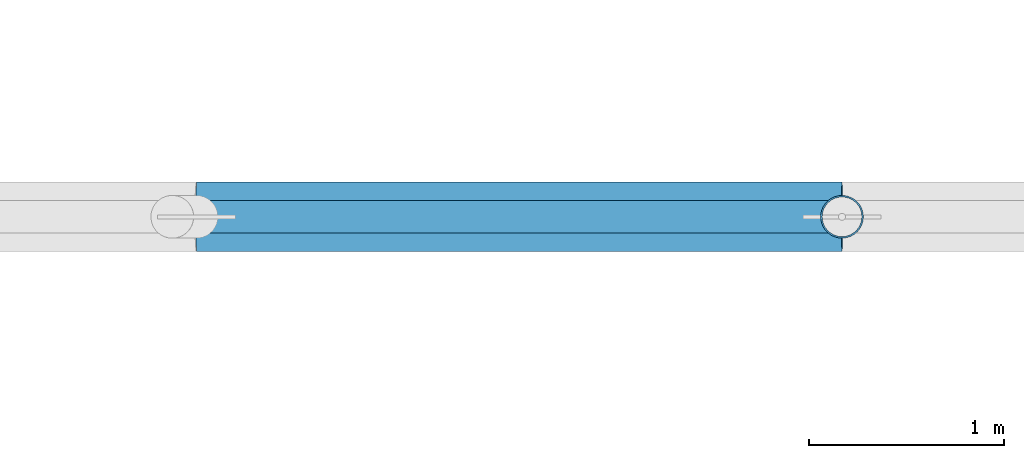
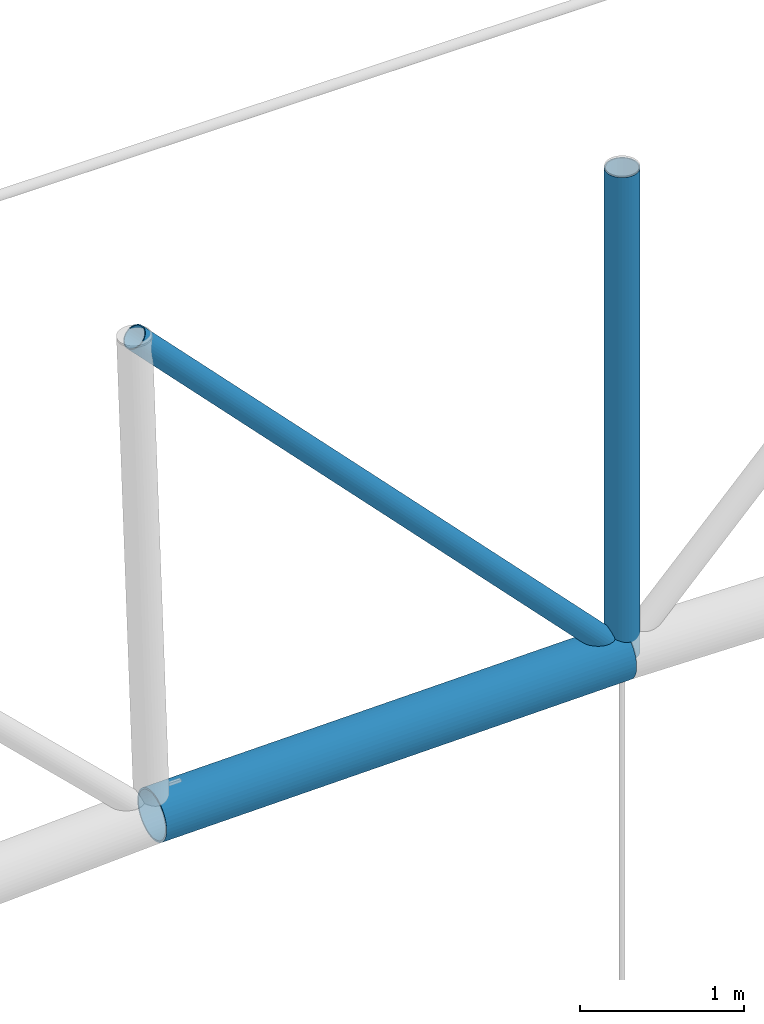
# One storey, part 154 of 321: 3 members.
"""IFC4 building model written with IfcOpenShell, lengths in metres."""

from ifc_helpers import new_model, si_unit, direction, frame, origin, origin_2d, place, context, subcontext, project, spatial, hollow_circle, extrude, material, material_profile, profile_set, type_object, element, save


model = new_model("IFC4")

# Units and contexts
model_context = context("Model", 3, precision=1e-05, world=origin(), true_north=direction((0.0, 1.0)))
body_context = subcontext(model_context, "Body", "Model", "MODEL_VIEW")
ifc_project = project(units=[si_unit("LENGTHUNIT", "METRE"), si_unit("AREAUNIT", "SQUARE_METRE"), si_unit("VOLUMEUNIT", "CUBIC_METRE"), si_unit("PLANEANGLEUNIT", "RADIAN"), si_unit("MASSUNIT", "GRAM", prefix="KILO")], contexts=[model_context])

# Site, building, storey
site_placement = place(None, origin())
site = spatial("IfcSite", under=ifc_project, at=site_placement, CompositionType="ELEMENT")
building_placement = place(site_placement, origin())
building = spatial("IfcBuilding", under=site, at=building_placement, Name="Ravi Spectrum Wholesale Market", CompositionType="ELEMENT")
storey_placement = place(building_placement, frame((0.0, 0.0, 10.800048828125)))
storey = spatial("IfcBuildingStorey", under=building, at=storey_placement, Name="L02", CompositionType="ELEMENT", Elevation=10.800048828125)

# Members
ifc_material_1 = material(Name="Steel S355", Category="steel")
ifc_material_profile_1 = material_profile(ifc_material_1, hollow_circle(Radius=0.084228515625, WallThickness=0.00634765625, at=origin_2d()))
ifc_profile_set_1 = profile_set([ifc_material_profile_1], Name="Steel S355")
member_type_1 = type_object("IfcMemberType", Name="CHS 168.3x6.3 brace", PredefinedType="BRACE", material=ifc_profile_set_1)
member_1_placement = place(storey_placement, frame((66.5703125, 150.0, 8.3408203125), z_axis=(0.695749704847, 0.0, -0.718284308756), x_axis=(0.0, 1.0, 0.0)))
element("IfcMember", 1, at=member_1_placement, inside=storey, type_object=member_type_1, Name="H1-MB-L02-892", PredefinedType="BRACE", context=body_context, shape_type="SweptSolid", body=[
    extrude(hollow_circle(Radius=0.084228515625, WallThickness=0.00634765625, at=origin_2d()), origin(), (0.0, 0.0, 1.0), 4.929443359375),
])
ifc_material_2 = material(Name="Steel S355", Category="steel")
ifc_material_profile_2 = material_profile(ifc_material_2, hollow_circle(Radius=0.109619140625, WallThickness=0.008056640625, at=origin_2d()))
ifc_profile_set_2 = profile_set([ifc_material_profile_2], Name="Steel S355")
member_type_2 = type_object("IfcMemberType", Name="CHS 219.1x8 post", PredefinedType="POST", material=ifc_profile_set_2)
member_2_placement = place(storey_placement, frame((70.0, 150.0, 8.39990234375), z_axis=(0.0, 0.0, -1.0), x_axis=(1.0, 0.0, 0.0)))
element("IfcMember", 2, at=member_2_placement, inside=storey, type_object=member_type_2, Name="H1-MB-L02-870", PredefinedType="POST", context=body_context, shape_type="SweptSolid", body=[
    extrude(hollow_circle(Radius=0.109619140625, WallThickness=0.008056640625, at=origin_2d()), origin(), (0.0, 0.0, 1.0), 3.599853515625),
])
ifc_material_3 = material(Name="Steel S355", Category="steel")
ifc_material_profile_3 = material_profile(ifc_material_3, hollow_circle(Radius=0.177734375, WallThickness=0.012451171875, at=origin_2d()))
ifc_profile_set_3 = profile_set([ifc_material_profile_3], Name="Steel S355")
member_type_3 = type_object("IfcMemberType", Name="CHS 355.6x12.5 chord", PredefinedType="CHORD", material=ifc_profile_set_3)
member_3_placement = place(storey_placement, frame((66.6943359375, 150.0, 4.742919921875), z_axis=(0.999850697486, 0.0, 0.017279546766), x_axis=(0.0, 1.0, 0.0)))
element("IfcMember", 3, at=member_3_placement, inside=storey, type_object=member_type_3, Name="H1-MB-L02-846", PredefinedType="CHORD", context=body_context, shape_type="SweptSolid", body=[
    extrude(hollow_circle(Radius=0.177734375, WallThickness=0.012451171875, at=origin_2d()), origin(), (0.0, 0.0, 1.0), 3.30615234375),
])

save(model, "model.ifc")
